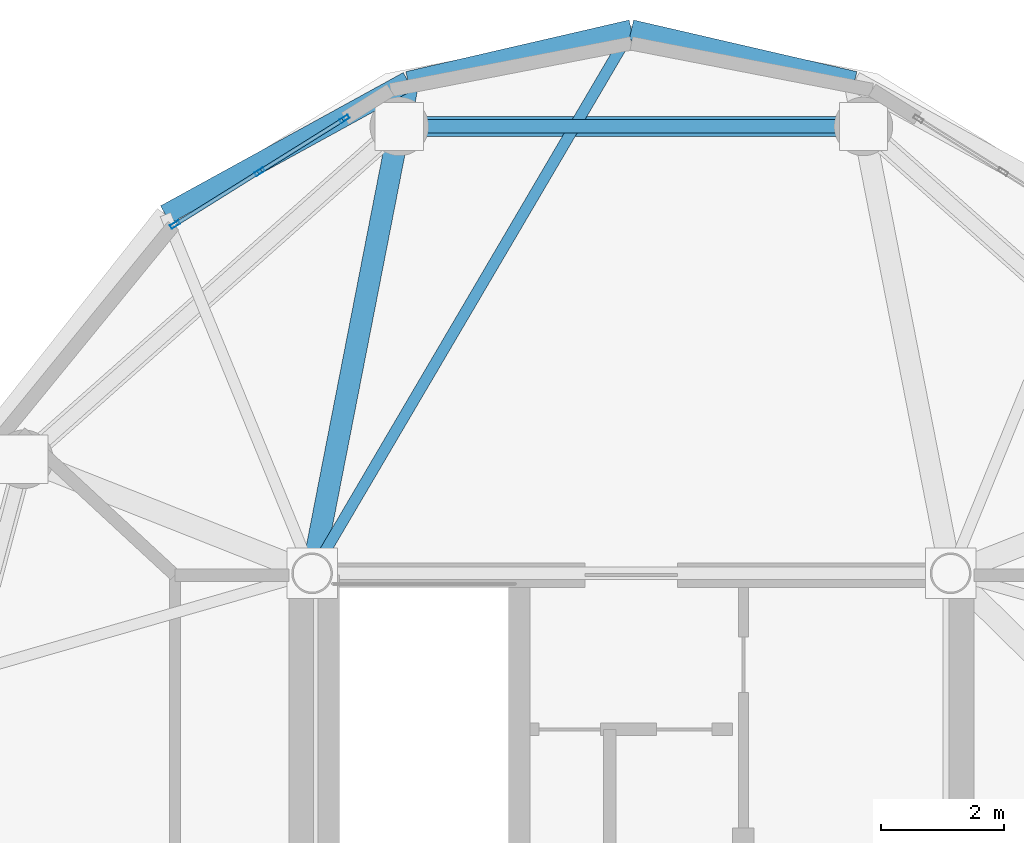
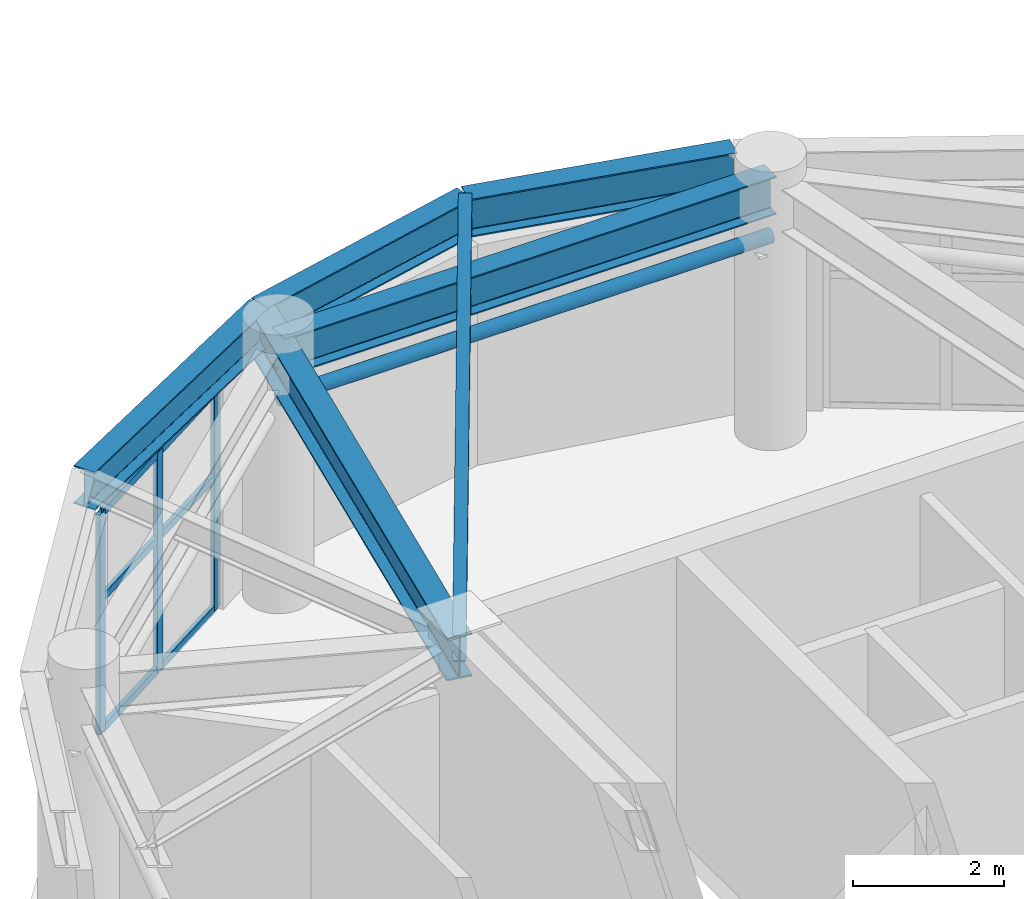
# One storey, part 9 of 26: 10 members, 6 beams, 1 element without a shape of its own.
"""IFC4 building model written with IfcOpenShell, lengths in metres."""

from ifc_helpers import new_model, si_unit, direction, frame, origin, origin_2d, place, context, subcontext, project, spatial, hollow_rectangle, hollow_circle, i_section, extrude, material, layer, layer_set, material_profile, profile_set, type_object, element, aggregate, save


model = new_model("IFC4")

# Units and contexts
model_context = context("Model", 3, precision=1e-05, world=origin(), true_north=direction((0.0, 1.0)))
body_context = subcontext(model_context, "Body", "Model", "MODEL_VIEW")
ifc_project = project(units=[si_unit("LENGTHUNIT", "METRE"), si_unit("AREAUNIT", "SQUARE_METRE"), si_unit("VOLUMEUNIT", "CUBIC_METRE"), si_unit("PLANEANGLEUNIT", "RADIAN"), si_unit("MASSUNIT", "GRAM", prefix="KILO")], contexts=[model_context])

# Site, building, storey
site_placement = place(None, origin())
site = spatial("IfcSite", under=ifc_project, at=site_placement, CompositionType="ELEMENT")
building_placement = place(site_placement, origin())
building = spatial("IfcBuilding", under=site, at=building_placement, Name="Cununo Teusaquillo Station Towers", CompositionType="ELEMENT")
storey_placement = place(building_placement, frame((0.0, 0.0, 240.330078125)))
storey = spatial("IfcBuildingStorey", under=building, at=storey_placement, Name="L76", CompositionType="ELEMENT", Elevation=240.330078125)

# Beams
ifc_material_1 = material(Name="Steel ASTM A572 Grade 50", Category="steel")
ifc_material_profile_1 = material_profile(ifc_material_1, i_section(OverallWidth=0.180908203125, OverallDepth=0.4169921875, WebThickness=0.010986328125, FlangeThickness=0.018310546875, FilletRadius=0.012939453125, at=origin_2d()), Name="W16X57")
ifc_profile_set_1 = profile_set([ifc_material_profile_1], Name="Steel ASTM A572 Grade 50")
beam_type_1 = type_object("IfcBeamType", Name="BM-JOIST-1", PredefinedType="JOIST", material=ifc_profile_set_1)
beam_1_placement = place(storey_placement, frame((11.324951171875, 31.3798828125, 3.991455078125), z_axis=(0.506486432091, 0.862247930765, 0.0), x_axis=(-0.862247930765, 0.506486432091, 0.0)))
element("IfcBeam", 1, at=beam_1_placement, inside=storey, type_object=beam_type_1, Name="L76 Tower A Radial Spandrel Joist V05", PredefinedType="JOIST", context=body_context, shape_type="SweptSolid", body=[
    extrude(i_section(OverallWidth=0.180908203125, OverallDepth=0.4169921875, WebThickness=0.010986328125, FlangeThickness=0.018310546875, FilletRadius=0.012939453125, at=origin_2d()), origin(), (0.0, 0.0, 1.0), 10.217529296875),
])
ifc_material_2 = material(Name="Steel ASTM A572 Grade 50", Category="steel")
ifc_material_profile_2 = material_profile(ifc_material_2, i_section(OverallWidth=0.35498046875, OverallDepth=0.696044921875, WebThickness=0.015380859375, FlangeThickness=0.02490234375, FilletRadius=0.01806640625, at=origin_2d()), Name="W27X146")
ifc_profile_set_2 = profile_set([ifc_material_profile_2], Name="Steel ASTM A572 Grade 50")
beam_type_2 = type_object("IfcBeamType", Name="BM-PLNT-G1", PredefinedType="BEAM", material=ifc_profile_set_2)
beam_2_placement = place(storey_placement, frame((11.324951171875, 31.3798828125, 3.851806640625), z_axis=(0.191548487699, 0.981483151593, 0.0), x_axis=(-0.981483151593, 0.191548487699, 0.0)))
element("IfcBeam", 2, at=beam_2_placement, inside=storey, type_object=beam_type_2, Name="L76 Tower A Continuous Overhanging Radial Girder 04", PredefinedType="BEAM", context=body_context, shape_type="SweptSolid", body=[
    extrude(i_section(OverallWidth=0.35498046875, OverallDepth=0.696044921875, WebThickness=0.015380859375, FlangeThickness=0.02490234375, FilletRadius=0.01806640625, at=origin_2d()), origin(), (0.0, 0.0, 1.0), 8.1240234375),
])
ifc_material_3 = material(Name="Steel ASTM A572 Grade 50", Category="steel")
ifc_material_profile_3 = material_profile(ifc_material_3, i_section(OverallWidth=0.324951171875, OverallDepth=0.615966796875, WebThickness=0.013916015625, FlangeThickness=0.021484375, FilletRadius=0.01611328125, at=origin_2d()), Name="W24X117")
ifc_profile_set_3 = profile_set([ifc_material_profile_3], Name="Steel ASTM A572 Grade 50")
beam_type_3 = type_object("IfcBeamType", Name="BM-PLNT-G2", PredefinedType="BEAM", material=ifc_profile_set_3)
beam_3_placement = place(storey_placement, frame((20.261474609375, 38.623291015625, 3.891845703125), z_axis=(-1.0, 0.0, 0.0), x_axis=(0.0, -1.0, 0.0)))
element("IfcBeam", 3, at=beam_3_placement, inside=storey, type_object=beam_type_3, Name="L76 Tower A Structural Column Ring Girder 03", PredefinedType="BEAM", context=body_context, shape_type="SweptSolid", body=[
    extrude(i_section(OverallWidth=0.324951171875, OverallDepth=0.615966796875, WebThickness=0.013916015625, FlangeThickness=0.021484375, FilletRadius=0.01611328125, at=origin_2d()), origin(), (0.0, 0.0, 1.0), 7.52294921875),
])
for number, where, z_axis, x_axis, name in (
    (4, (20.118896484375, 39.353515625, 3.891845703125), (-0.97431470066, 0.225190728224, 0.0), (-0.225190728224, -0.97431470066, 0.0), "L76 Tower A Spandrel Ring Beam 05"),
    (5, (16.5, 40.18994140625, 3.891845703125), (-0.97431470066, -0.225190728224, 0.0), (0.225190728224, -0.97431470066, 0.0), "L76 Tower A Spandrel Ring Beam 06"),
):
    element("IfcBeam", number, at=place(storey_placement, frame(where, z_axis=z_axis, x_axis=x_axis)), inside=storey, type_object=beam_type_3, Name=name, PredefinedType="BEAM", context=body_context, shape_type="SweptSolid", body=[
        extrude(i_section(OverallWidth=0.324951171875, OverallDepth=0.615966796875, WebThickness=0.013916015625, FlangeThickness=0.021484375, FilletRadius=0.01611328125, at=origin_2d()), origin(), (0.0, 0.0, 1.0), 3.71435546875),
    ])
beam_4_placement = place(storey_placement, frame((12.881103515625, 39.353515625, 3.891845703125), z_axis=(-0.876576300909, -0.481262910149, 0.0), x_axis=(0.481262910149, -0.876576300909, 0.0)))
element("IfcBeam", 6, at=beam_4_placement, inside=storey, type_object=beam_type_3, Name="L76 Tower A Spandrel Ring Beam 07", PredefinedType="BEAM", context=body_context, shape_type="SweptSolid", body=[
    extrude(i_section(OverallWidth=0.324951171875, OverallDepth=0.615966796875, WebThickness=0.013916015625, FlangeThickness=0.021484375, FilletRadius=0.01611328125, at=origin_2d()), origin(), (0.0, 0.0, 1.0), 4.488037109375),
])

# Curtain wall, members
ifc_material_4 = material(Name="Ceramic-fritted dark low-E double glazing", Category="glass")
ifc_layer = layer(ifc_material_4, 0.179931640625)
ifc_layer_set = layer_set([ifc_layer], Name="Ceramic-fritted dark low-E double glazing")
curtain_wall_type = type_object("IfcCurtainWallType", Name="CW-SYS-08", PredefinedType="USERDEFINED", material=ifc_layer_set)
curtain_wall_placement = place(storey_placement, origin())
curtain_wall = element("IfcCurtainWall", 7, at=curtain_wall_placement, inside=storey, type_object=curtain_wall_type, Name="L76 Tower A Crown Drum Glazed Screen C06", ObjectType="FRITTED GLAZING", PredefinedType="USERDEFINED")
ifc_material_5 = material(Name="Anodised dark bronze aluminium EN AW-6063-T6", Category="aluminium")
ifc_material_profile_4 = material_profile(ifc_material_5, hollow_rectangle(XDim=0.06494140625, YDim=0.159912109375, WallThickness=0.00390625, at=origin_2d()), Name="CW-MULL-65x160")
ifc_profile_set_4 = profile_set([ifc_material_profile_4], Name="Anodised dark bronze aluminium EN AW-6063-T6")
member_type_1 = type_object("IfcMemberType", Name="CWM-160", PredefinedType="MULLION", material=ifc_profile_set_4)
member_1_placement = place(storey_placement, frame((9.103759765625, 37.03271484375, 0.0), z_axis=(0.0, 0.0, 1.0), x_axis=(-0.529451366729, 0.848340291551, 0.0)))
member_1 = element("IfcMember", 8, at=member_1_placement, type_object=member_type_1, Name="CW-08 mullion 1", PredefinedType="MULLION", context=body_context, shape_type="SweptSolid", body=[
    extrude(hollow_rectangle(XDim=0.06494140625, YDim=0.159912109375, WallThickness=0.00390625, at=origin_2d()), origin(), (0.0, 0.0, 1.0), 3.555908203125),
])
member_2_placement = place(storey_placement, frame((10.47607421875, 37.88916015625, 0.0), z_axis=(0.0, 0.0, 1.0), x_axis=(-0.529451366729, 0.848340291551, 0.0)))
member_2 = element("IfcMember", 9, at=member_2_placement, type_object=member_type_1, Name="CW-08 mullion 2", PredefinedType="MULLION", context=body_context, shape_type="SweptSolid", body=[
    extrude(hollow_rectangle(XDim=0.06494140625, YDim=0.159912109375, WallThickness=0.00390625, at=origin_2d()), origin(), (0.0, 0.0, 1.0), 3.555908203125),
])
member_3_placement = place(storey_placement, frame((11.848388671875, 38.74560546875, 0.0), z_axis=(0.0, 0.0, 1.0), x_axis=(-0.529451366729, 0.848340291551, 0.0)))
member_3 = element("IfcMember", 10, at=member_3_placement, type_object=member_type_1, Name="CW-08 mullion 3", PredefinedType="MULLION", context=body_context, shape_type="SweptSolid", body=[
    extrude(hollow_rectangle(XDim=0.06494140625, YDim=0.159912109375, WallThickness=0.00390625, at=origin_2d()), origin(), (0.0, 0.0, 1.0), 3.555908203125),
])
ifc_material_6 = material(Name="Anodised dark bronze aluminium EN AW-6063-T6", Category="aluminium")
ifc_material_profile_5 = material_profile(ifc_material_6, hollow_rectangle(XDim=0.06494140625, YDim=0.1201171875, WallThickness=0.00390625, at=origin_2d()), Name="CW-TRAN-65x120")
ifc_profile_set_5 = profile_set([ifc_material_profile_5], Name="Anodised dark bronze aluminium EN AW-6063-T6")
member_type_2 = type_object("IfcMemberType", Name="CWT-120", PredefinedType="USERDEFINED", material=ifc_profile_set_5)
member_4_placement = place(storey_placement, frame((9.13134765625, 37.0498046875, 0.032470703125), z_axis=(0.848342652785, 0.529447583304, 0.0), x_axis=(-0.529447583304, 0.848342652785, 0.0)))
member_4 = element("IfcMember", 11, at=member_4_placement, type_object=member_type_2, Name="CW-08 transom 1.1", ObjectType="TRANSOM", PredefinedType="USERDEFINED", context=body_context, shape_type="SweptSolid", body=[
    extrude(hollow_rectangle(XDim=0.06494140625, YDim=0.1201171875, WallThickness=0.00390625, at=origin_2d()), origin(), (0.0, 0.0, 1.0), 1.552490234375),
])
member_5_placement = place(storey_placement, frame((9.13134765625, 37.0498046875, 2.14990234375), z_axis=(0.848342652785, 0.529447583304, 0.0), x_axis=(-0.529447583304, 0.848342652785, 0.0)))
member_5 = element("IfcMember", 12, at=member_5_placement, type_object=member_type_2, Name="CW-08 transom 1.2", ObjectType="TRANSOM", PredefinedType="USERDEFINED", context=body_context, shape_type="SweptSolid", body=[
    extrude(hollow_rectangle(XDim=0.06494140625, YDim=0.1201171875, WallThickness=0.00390625, at=origin_2d()), origin(), (0.0, 0.0, 1.0), 1.552490234375),
])
member_6_placement = place(storey_placement, frame((9.13134765625, 37.0498046875, 3.5234375), z_axis=(0.848342652785, 0.529447583304, 0.0), x_axis=(-0.529447583304, 0.848342652785, 0.0)))
member_6 = element("IfcMember", 13, at=member_6_placement, type_object=member_type_2, Name="CW-08 transom 1.3", ObjectType="TRANSOM", PredefinedType="USERDEFINED", context=body_context, shape_type="SweptSolid", body=[
    extrude(hollow_rectangle(XDim=0.06494140625, YDim=0.1201171875, WallThickness=0.00390625, at=origin_2d()), origin(), (0.0, 0.0, 1.0), 1.552490234375),
])
member_7_placement = place(storey_placement, frame((10.503662109375, 37.90625, 0.032470703125), z_axis=(0.848342652785, 0.529447583304, 0.0), x_axis=(-0.529447583304, 0.848342652785, 0.0)))
member_7 = element("IfcMember", 14, at=member_7_placement, type_object=member_type_2, Name="CW-08 transom 2.1", ObjectType="TRANSOM", PredefinedType="USERDEFINED", context=body_context, shape_type="SweptSolid", body=[
    extrude(hollow_rectangle(XDim=0.06494140625, YDim=0.1201171875, WallThickness=0.00390625, at=origin_2d()), origin(), (0.0, 0.0, 1.0), 1.552490234375),
])
member_8_placement = place(storey_placement, frame((10.503662109375, 37.90625, 2.14990234375), z_axis=(0.848342652785, 0.529447583304, 0.0), x_axis=(-0.529447583304, 0.848342652785, 0.0)))
member_8 = element("IfcMember", 15, at=member_8_placement, type_object=member_type_2, Name="CW-08 transom 2.2", ObjectType="TRANSOM", PredefinedType="USERDEFINED", context=body_context, shape_type="SweptSolid", body=[
    extrude(hollow_rectangle(XDim=0.06494140625, YDim=0.1201171875, WallThickness=0.00390625, at=origin_2d()), origin(), (0.0, 0.0, 1.0), 1.552490234375),
])
member_9_placement = place(storey_placement, frame((10.503662109375, 37.90625, 3.5234375), z_axis=(0.848342652785, 0.529447583304, 0.0), x_axis=(-0.529447583304, 0.848342652785, 0.0)))
member_9 = element("IfcMember", 16, at=member_9_placement, type_object=member_type_2, Name="CW-08 transom 2.3", ObjectType="TRANSOM", PredefinedType="USERDEFINED", context=body_context, shape_type="SweptSolid", body=[
    extrude(hollow_rectangle(XDim=0.06494140625, YDim=0.1201171875, WallThickness=0.00390625, at=origin_2d()), origin(), (0.0, 0.0, 1.0), 1.552490234375),
])
aggregate(curtain_wall, [member_1, member_2, member_3, member_4, member_5, member_6, member_7, member_8, member_9])

# Member
ifc_material_7 = material(Name="Steel EN 10025-2 S355J2", Category="steel")
ifc_material_profile_6 = material_profile(ifc_material_7, hollow_circle(Radius=0.109619140625, WallThickness=0.010009765625, at=origin_2d()), Name="CHS 219x10")
ifc_profile_set_6 = profile_set([ifc_material_profile_6], Name="Steel EN 10025-2 S355J2")
member_type_3 = type_object("IfcMemberType", Name="MBR-DRUM-COL", PredefinedType="COLLAR", material=ifc_profile_set_6)
member_10_placement = place(storey_placement, frame((20.261474609375, 38.623291015625, 3.14990234375), z_axis=(-1.0, 0.0, 0.0), x_axis=(0.0, -1.0, 0.0)))
element("IfcMember", 17, at=member_10_placement, inside=storey, type_object=member_type_3, Name="L76 Tower A Crown Drum Collar 03", PredefinedType="COLLAR", context=body_context, shape_type="SweptSolid", body=[
    extrude(hollow_circle(Radius=0.109619140625, WallThickness=0.010009765625, at=origin_2d()), origin(), (0.0, 0.0, 1.0), 7.52294921875),
])

save(model, "model.ifc")
